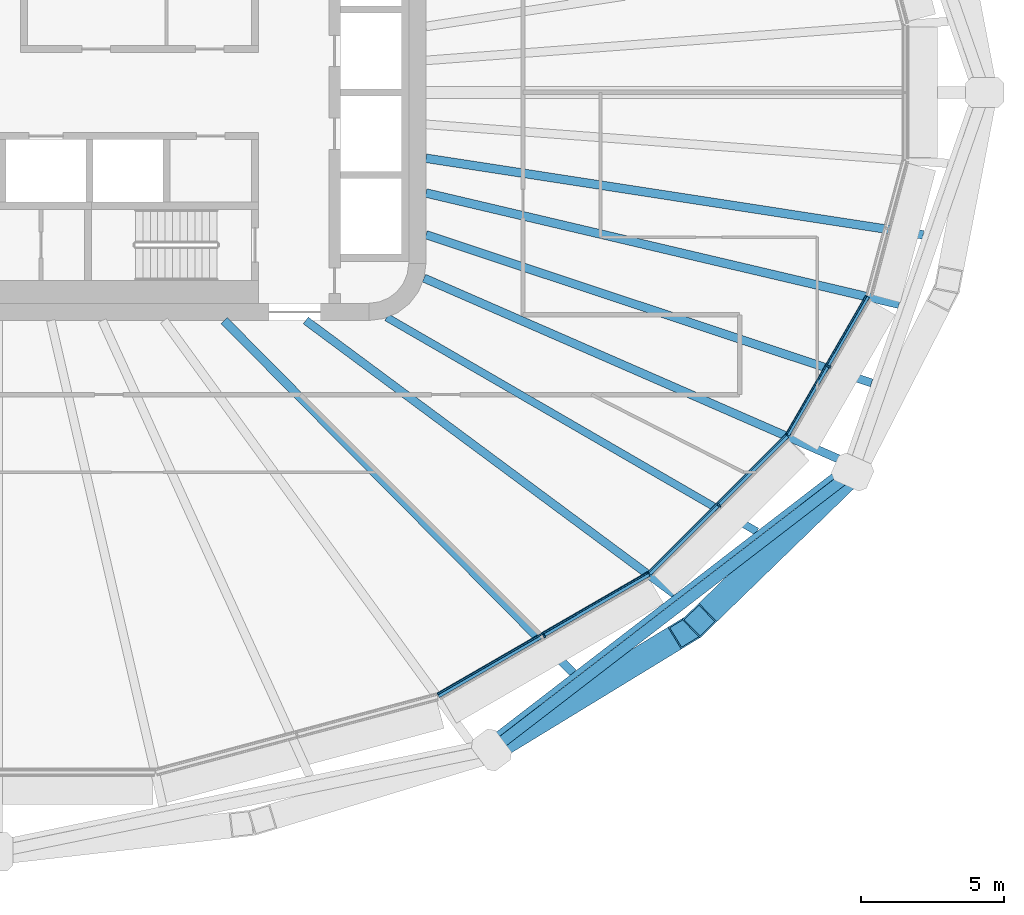
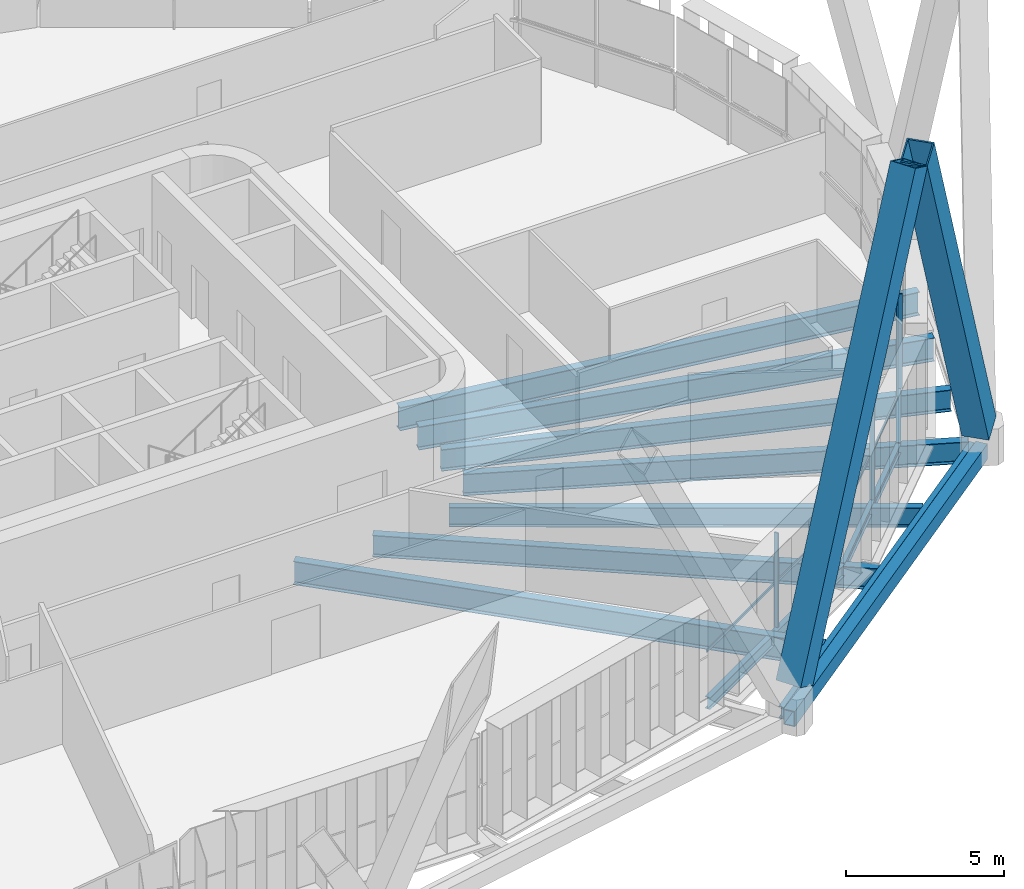
# One storey, part 5 of 25: 12 beams, 8 members, 3 elements without a shape of their own.
"""IFC4 building model written with IfcOpenShell, lengths in metres."""

from ifc_helpers import new_model, si_unit, direction, frame, origin, origin_2d, place, context, subcontext, project, spatial, rectangle, hollow_rectangle, i_section, extrude, material, layer, layer_set, material_profile, profile_set, type_object, element, aggregate, save


model = new_model("IFC4")

# Units and contexts
model_context = context("Model", 3, precision=1e-05, world=origin(), true_north=direction((0.0, 1.0)))
body_context = subcontext(model_context, "Body", "Model", "MODEL_VIEW")
ifc_project = project(units=[si_unit("LENGTHUNIT", "METRE"), si_unit("AREAUNIT", "SQUARE_METRE"), si_unit("VOLUMEUNIT", "CUBIC_METRE"), si_unit("PLANEANGLEUNIT", "RADIAN"), si_unit("MASSUNIT", "GRAM", prefix="KILO")], contexts=[model_context])

# Site, building, storey
site_placement = place(None, origin())
site = spatial("IfcSite", under=ifc_project, at=site_placement, CompositionType="ELEMENT")
building_placement = place(site_placement, origin())
building = spatial("IfcBuilding", under=site, at=building_placement, Name="Sahrelin Media Tower", CompositionType="ELEMENT")
storey_placement = place(building_placement, frame((0.0, 0.0, 114.60009765625)))
storey = spatial("IfcBuildingStorey", under=building, at=storey_placement, Name="L22", CompositionType="ELEMENT", Elevation=114.60009765625)

# Members
ifc_material_1 = material(Name="Steel S460", Category="steel")
ifc_material_profile_1 = material_profile(ifc_material_1, hollow_rectangle(XDim=0.89990234375, YDim=0.89990234375, WallThickness=0.050048828125, at=origin_2d()), Name="Diagrid diagonal DG3")
ifc_profile_set_1 = profile_set([ifc_material_profile_1], Name="Steel S460")
member_type_1 = type_object("IfcMemberType", Name="Diagrid diagonal DG3", PredefinedType="BRACE", material=ifc_profile_set_1)
member_1_placement = place(storey_placement, frame((17.59130859375, -22.880126953125, 0.699951171875), z_axis=(0.377075891817, 0.230216401797, 0.897114362918), x_axis=(-0.521089269606, 0.853502181076, 0.0)))
element("IfcMember", 1, at=member_1_placement, inside=storey, type_object=member_type_1, Name="Diagrid diagonal D04-20", PredefinedType="BRACE", context=body_context, shape_type="SweptSolid", body=[
    extrude(hollow_rectangle(XDim=0.89990234375, YDim=0.89990234375, WallThickness=0.050048828125, at=origin_2d()), origin(), (0.0, 0.0, 1.0), 17.166015625),
])
member_2_placement = place(storey_placement, frame((29.72607421875, -13.5400390625, 0.699951171875), z_axis=(-0.302361826208, -0.293404554799, 0.906912946911), x_axis=(0.696396816197, -0.717656933632, 0.0)))
element("IfcMember", 2, at=member_2_placement, inside=storey, type_object=member_type_1, Name="Diagrid diagonal D04-21", PredefinedType="BRACE", context=body_context, shape_type="SweptSolid", body=[
    extrude(hollow_rectangle(XDim=0.89990234375, YDim=0.89990234375, WallThickness=0.050048828125, at=origin_2d()), origin(), (0.0, 0.0, 1.0), 16.98046875),
])

# Beams
ifc_material_profile_2 = material_profile(ifc_material_1, hollow_rectangle(XDim=0.39990234375, YDim=0.60009765625, WallThickness=0.030029296875, at=origin_2d()), Name="Diagrid ring beam RB1")
ifc_profile_set_2 = profile_set([ifc_material_profile_2], Name="Steel S460")
beam_type_1 = type_object("IfcBeamType", Name="Diagrid ring beam RB1", PredefinedType="BEAM", material=ifc_profile_set_2)
beam_1_placement = place(storey_placement, frame((17.297119140625, -23.059814453125, -0.4501953125), z_axis=(0.792447877792, 0.609939637163, 0.0), x_axis=(-0.609939637163, 0.792447877792, 0.0)))
element("IfcBeam", 3, at=beam_1_placement, inside=storey, type_object=beam_type_1, Name="Diagrid ring beam RB04-10", PredefinedType="BEAM", context=body_context, shape_type="SweptSolid", body=[
    extrude(hollow_rectangle(XDim=0.39990234375, YDim=0.60009765625, WallThickness=0.030029296875, at=origin_2d()), origin(), (0.0, 0.0, 1.0), 15.978759765625),
])
ifc_material_2 = material(Name="Steel S355", Category="steel")
ifc_material_profile_3 = material_profile(ifc_material_2, i_section(OverallWidth=0.1650390625, OverallDepth=0.303466796875, WebThickness=0.006103515625, FlangeThickness=0.01025390625, FilletRadius=0.0087890625, at=origin_2d()), Name="UB 305x165x40")
ifc_profile_set_3 = profile_set([ifc_material_profile_3], Name="Steel S355")
beam_type_2 = type_object("IfcBeamType", Name="Edge beam EB2", PredefinedType="BEAM", material=ifc_profile_set_3)
beam_2_placement = place(storey_placement, frame((30.4775390625, -7.158203125, -0.3017578125), z_axis=(-0.499997576928, -0.866026802741, 0.0), x_axis=(0.866026802741, -0.499997576928, 0.0)))
element("IfcBeam", 4, at=beam_2_placement, inside=storey, type_object=beam_type_2, Name="Edge beam L22-03", PredefinedType="BEAM", context=body_context, shape_type="SweptSolid", body=[
    extrude(i_section(OverallWidth=0.1650390625, OverallDepth=0.303466796875, WebThickness=0.006103515625, FlangeThickness=0.01025390625, FilletRadius=0.0087890625, at=origin_2d()), origin(), (0.0, 0.0, 1.0), 5.607421875),
])
ifc_material_profile_4 = material_profile(ifc_material_2, i_section(OverallWidth=0.17138671875, OverallDepth=0.35498046875, WebThickness=0.00732421875, FlangeThickness=0.011474609375, FilletRadius=0.01025390625, at=origin_2d()), Name="UB 356x171x51")
ifc_profile_set_4 = profile_set([ifc_material_profile_4], Name="Steel S355")
beam_type_3 = type_object("IfcBeamType", Name="Edge beam EB3", PredefinedType="BEAM", material=ifc_profile_set_4)
beam_3_placement = place(storey_placement, frame((27.656494140625, -12.037109375, -0.32763671875), z_axis=(-0.707106781187, -0.707106781187, 0.0), x_axis=(0.707106781187, -0.707106781187, 0.0)))
element("IfcBeam", 5, at=beam_3_placement, inside=storey, type_object=beam_type_3, Name="Edge beam L22-04", PredefinedType="BEAM", context=body_context, shape_type="SweptSolid", body=[
    extrude(i_section(OverallWidth=0.17138671875, OverallDepth=0.35498046875, WebThickness=0.00732421875, FlangeThickness=0.011474609375, FilletRadius=0.01025390625, at=origin_2d()), origin(), (0.0, 0.0, 1.0), 6.82666015625),
])
ifc_material_profile_5 = material_profile(ifc_material_2, i_section(OverallWidth=0.1904296875, OverallDepth=0.45703125, WebThickness=0.009033203125, FlangeThickness=0.014404296875, FilletRadius=0.01025390625, at=origin_2d()), Name="UB 457x191x74")
ifc_profile_set_5 = profile_set([ifc_material_profile_5], Name="Steel S355")
beam_type_4 = type_object("IfcBeamType", Name="Edge beam EB5", PredefinedType="BEAM", material=ifc_profile_set_5)
beam_4_placement = place(storey_placement, frame((22.806396484375, -16.8818359375, -0.378662109375), z_axis=(-0.866015300231, -0.500017499459, 0.0), x_axis=(0.500017499459, -0.866015300231, 0.0)))
element("IfcBeam", 6, at=beam_4_placement, inside=storey, type_object=beam_type_4, Name="Edge beam L22-05", PredefinedType="BEAM", context=body_context, shape_type="SweptSolid", body=[
    extrude(i_section(OverallWidth=0.1904296875, OverallDepth=0.45703125, WebThickness=0.009033203125, FlangeThickness=0.014404296875, FilletRadius=0.01025390625, at=origin_2d()), origin(), (0.0, 0.0, 1.0), 8.523681640625),
])

# Curtain wall, member
ifc_material_3 = material(Name="Champagne anodised aluminium 6063-T6", Category="aluminium")
ifc_layer = layer(ifc_material_3, 0.14990234375)
ifc_layer_set = layer_set([ifc_layer], Name="Tower ribbon curtain wall")
curtain_wall_type = type_object("IfcCurtainWallType", Name="Tower ribbon curtain wall", PredefinedType="NOTDEFINED", material=ifc_layer_set)
curtain_wall_1_placement = place(storey_placement, frame((19.190673828125, -19.142578125, 0.0), z_axis=(0.0, 0.0, 1.0), x_axis=(1.0, 0.0, 0.0)))
curtain_wall_1 = element("IfcCurtainWall", 7, at=curtain_wall_1_placement, inside=storey, type_object=curtain_wall_type, Name="L22:CW:L22-20", PredefinedType="NOTDEFINED")
ifc_material_profile_6 = material_profile(ifc_material_3, rectangle(XDim=0.06005859375, YDim=0.14990234375, at=origin_2d()), Name="Mullion 60x150")
ifc_profile_set_6 = profile_set([ifc_material_profile_6], Name="Champagne anodised aluminium 6063-T6")
member_type_2 = type_object("IfcMemberType", Name="Mullion 60x150 CW1", PredefinedType="MULLION", material=ifc_profile_set_6)
member_3_placement = place(storey_placement, frame((19.143310546875, -19.060302734375, 0.0), z_axis=(0.0, 0.0, 1.0), x_axis=(0.866026276448, 0.4999984885, 0.0)))
member_3 = element("IfcMember", 8, at=member_3_placement, type_object=member_type_2, Name="L22:CWM:L22-20", PredefinedType="MULLION", context=body_context, shape_type="SweptSolid", body=[
    extrude(rectangle(XDim=0.06005859375, YDim=0.14990234375, at=origin_2d()), origin(), (0.0, 0.0, 1.0), 3.6484375),
])

curtain_wall_2_placement = place(storey_placement, frame((25.348876953125, -14.556884765625, 0.0), z_axis=(0.0, 0.0, 1.0), x_axis=(1.0, 0.0, 0.0)))
curtain_wall_2 = element("IfcCurtainWall", 9, at=curtain_wall_2_placement, inside=storey, type_object=curtain_wall_type, Name="L22:CW:L22-21", PredefinedType="NOTDEFINED")
member_4_placement = place(storey_placement, frame((25.28173828125, -14.489501953125, 0.0), z_axis=(0.0, 0.0, 1.0), x_axis=(0.707099376343, 0.707114185953, 0.0)))
member_4 = element("IfcMember", 10, at=member_4_placement, type_object=member_type_2, Name="L22:CWM:L22-21", PredefinedType="MULLION", context=body_context, shape_type="SweptSolid", body=[
    extrude(rectangle(XDim=0.06005859375, YDim=0.14990234375, at=origin_2d()), origin(), (0.0, 0.0, 1.0), 3.6484375),
])

curtain_wall_3_placement = place(storey_placement, frame((29.205810546875, -9.661376953125, 0.0), z_axis=(0.0, 0.0, 1.0), x_axis=(1.0, 0.0, 0.0)))
curtain_wall_3 = element("IfcCurtainWall", 11, at=curtain_wall_3_placement, inside=storey, type_object=curtain_wall_type, Name="L22:CW:L22-22", PredefinedType="NOTDEFINED")
member_5_placement = place(storey_placement, frame((29.123291015625, -9.61376953125, 0.0), z_axis=(0.0, 0.0, 1.0), x_axis=(0.499990930976, 0.866030639725, 0.0)))
member_5 = element("IfcMember", 12, at=member_5_placement, type_object=member_type_2, Name="L22:CWM:L22-22", PredefinedType="MULLION", context=body_context, shape_type="SweptSolid", body=[
    extrude(rectangle(XDim=0.06005859375, YDim=0.14990234375, at=origin_2d()), origin(), (0.0, 0.0, 1.0), 3.6484375),
])

# Beams
ifc_material_profile_7 = material_profile(ifc_material_2, i_section(OverallWidth=0.291748046875, OverallDepth=0.8349609375, WebThickness=0.013916015625, FlangeThickness=0.018798828125, FilletRadius=0.017822265625, at=origin_2d()), Name="UB 838x292x176")
ifc_profile_set_7 = profile_set([ifc_material_profile_7], Name="Steel S355")
beam_type_5 = type_object("IfcBeamType", Name="Radial primary beam PB10", PredefinedType="BEAM", material=ifc_profile_set_7)
beam_5_placement = place(storey_placement, frame((10.78515625, -8.0, -0.567626953125), z_axis=(0.803166740264, -0.595754301146, 0.0), x_axis=(0.595754301146, 0.803166740264, 0.0)))
element("IfcBeam", 13, at=beam_5_placement, inside=storey, type_object=beam_type_5, Name="Radial beam L22-21", PredefinedType="BEAM", context=body_context, shape_type="SweptSolid", body=[
    extrude(i_section(OverallWidth=0.291748046875, OverallDepth=0.8349609375, WebThickness=0.013916015625, FlangeThickness=0.018798828125, FilletRadius=0.017822265625, at=origin_2d()), origin(), (0.0, 0.0, 1.0), 16.12353515625),
])
beam_6_placement = place(storey_placement, frame((14.9326171875, -6.5126953125, -0.567626953125), z_axis=(0.916611517945, -0.399779095465, 0.0), x_axis=(0.399779095465, 0.916611517945, 0.0)))
element("IfcBeam", 14, at=beam_6_placement, inside=storey, type_object=beam_type_5, Name="Radial beam L22-22", PredefinedType="BEAM", context=body_context, shape_type="SweptSolid", body=[
    extrude(i_section(OverallWidth=0.291748046875, OverallDepth=0.8349609375, WebThickness=0.013916015625, FlangeThickness=0.018798828125, FilletRadius=0.017822265625, at=origin_2d()), origin(), (0.0, 0.0, 1.0), 16.078857421875),
])
ifc_material_profile_8 = material_profile(ifc_material_2, i_section(OverallWidth=0.30322265625, OverallDepth=0.903076171875, WebThickness=0.01513671875, FlangeThickness=0.020263671875, FilletRadius=0.01904296875, at=origin_2d()), Name="UB 914x305x201")
ifc_profile_set_8 = profile_set([ifc_material_profile_8], Name="Steel S355")
beam_type_6 = type_object("IfcBeamType", Name="Radial primary beam PB11", PredefinedType="BEAM", material=ifc_profile_set_8)
beam_7_placement = place(storey_placement, frame((15.0, -3.5283203125, -0.6015625), z_axis=(0.97343238477, -0.228974654232, 0.0), x_axis=(0.228974654232, 0.97343238477, 0.0)))
element("IfcBeam", 15, at=beam_7_placement, inside=storey, type_object=beam_type_6, Name="Radial beam L22-23", PredefinedType="BEAM", context=body_context, shape_type="SweptSolid", body=[
    extrude(i_section(OverallWidth=0.30322265625, OverallDepth=0.903076171875, WebThickness=0.01513671875, FlangeThickness=0.020263671875, FilletRadius=0.01904296875, at=origin_2d()), origin(), (0.0, 0.0, 1.0), 17.04150390625),
])
ifc_material_profile_9 = material_profile(ifc_material_2, i_section(OverallWidth=0.291748046875, OverallDepth=0.8349609375, WebThickness=0.013916015625, FlangeThickness=0.018798828125, FilletRadius=0.017822265625, at=origin_2d()), Name="UB 838x292x176")
ifc_profile_set_9 = profile_set([ifc_material_profile_9], Name="Steel S355")
beam_type_7 = type_object("IfcBeamType", Name="Radial secondary beam SB10", PredefinedType="BEAM", material=ifc_profile_set_9)
beam_8_placement = place(storey_placement, frame((15.0, -4.989990234375, -0.567626953125), z_axis=(0.948875817158, -0.315649621595, 0.0), x_axis=(0.315649621595, 0.948875817158, 0.0)))
element("IfcBeam", 16, at=beam_8_placement, inside=storey, type_object=beam_type_7, Name="Secondary beam L22-22", PredefinedType="BEAM", context=body_context, shape_type="SweptSolid", body=[
    extrude(i_section(OverallWidth=0.291748046875, OverallDepth=0.8349609375, WebThickness=0.013916015625, FlangeThickness=0.018798828125, FilletRadius=0.017822265625, at=origin_2d()), origin(), (0.0, 0.0, 1.0), 16.470703125),
])
ifc_material_profile_10 = material_profile(ifc_material_2, i_section(OverallWidth=0.30322265625, OverallDepth=0.903076171875, WebThickness=0.01513671875, FlangeThickness=0.020263671875, FilletRadius=0.01904296875, at=origin_2d()), Name="UB 914x305x201")
ifc_profile_set_10 = profile_set([ifc_material_profile_10], Name="Steel S355")
beam_type_8 = type_object("IfcBeamType", Name="Radial secondary beam SB11", PredefinedType="BEAM", material=ifc_profile_set_10)
beam_9_placement = place(storey_placement, frame((7.921630859375, -8.0, -0.6015625), z_axis=(0.703616835697, -0.71057958634, 0.0), x_axis=(0.71057958634, 0.703616835697, 0.0)))
element("IfcBeam", 17, at=beam_9_placement, inside=storey, type_object=beam_type_8, Name="Secondary beam L22-20", PredefinedType="BEAM", context=body_context, shape_type="SweptSolid", body=[
    extrude(i_section(OverallWidth=0.30322265625, OverallDepth=0.903076171875, WebThickness=0.01513671875, FlangeThickness=0.020263671875, FilletRadius=0.01904296875, at=origin_2d()), origin(), (0.0, 0.0, 1.0), 17.3916015625),
])
beam_10_placement = place(storey_placement, frame((15.0, -2.31005859375, -0.6015625), z_axis=(0.988348168319, -0.152210046252, 0.0), x_axis=(0.152210046252, 0.988348168319, 0.0)))
element("IfcBeam", 18, at=beam_10_placement, inside=storey, type_object=beam_type_8, Name="Secondary beam L22-23", PredefinedType="BEAM", context=body_context, shape_type="SweptSolid", body=[
    extrude(i_section(OverallWidth=0.30322265625, OverallDepth=0.903076171875, WebThickness=0.01513671875, FlangeThickness=0.020263671875, FilletRadius=0.01904296875, at=origin_2d()), origin(), (0.0, 0.0, 1.0), 17.64208984375),
])
ifc_material_profile_11 = material_profile(ifc_material_2, i_section(OverallWidth=0.26513671875, OverallDepth=0.75390625, WebThickness=0.0126953125, FlangeThickness=0.017578125, FilletRadius=0.0166015625, at=origin_2d()), Name="UB 762x267x147")
ifc_profile_set_11 = profile_set([ifc_material_profile_11], Name="Steel S355")
beam_type_9 = type_object("IfcBeamType", Name="Radial secondary beam SB9", PredefinedType="BEAM", material=ifc_profile_set_11)
beam_11_placement = place(storey_placement, frame((13.625244140625, -7.88720703125, -0.527099609375), z_axis=(0.865456011638, -0.500984921848, 0.0), x_axis=(0.500984921848, 0.865456011638, 0.0)))
element("IfcBeam", 19, at=beam_11_placement, inside=storey, type_object=beam_type_9, Name="Secondary beam L22-21", PredefinedType="BEAM", context=body_context, shape_type="SweptSolid", body=[
    extrude(i_section(OverallWidth=0.26513671875, OverallDepth=0.75390625, WebThickness=0.0126953125, FlangeThickness=0.017578125, FilletRadius=0.0166015625, at=origin_2d()), origin(), (0.0, 0.0, 1.0), 14.993896484375),
])
ifc_material_profile_12 = material_profile(ifc_material_2, i_section(OverallWidth=0.1904296875, OverallDepth=0.45703125, WebThickness=0.009033203125, FlangeThickness=0.014404296875, FilletRadius=0.01025390625, at=origin_2d()), Name="UB 457x191x74")
ifc_profile_set_12 = profile_set([ifc_material_profile_12], Name="Steel S355")
beam_type_10 = type_object("IfcBeamType", Name="Tie chord TC5", PredefinedType="BEAM", material=ifc_profile_set_12)
beam_12_placement = place(storey_placement, frame((29.705322265625, -13.13037109375, -0.378662109375), z_axis=(-0.79244496404, -0.60994342276, 0.0), x_axis=(0.60994342276, -0.79244496404, 0.0)))
element("IfcBeam", 20, at=beam_12_placement, inside=storey, type_object=beam_type_10, Name="Tie chord L22-02", PredefinedType="BEAM", context=body_context, shape_type="SweptSolid", body=[
    extrude(i_section(OverallWidth=0.1904296875, OverallDepth=0.45703125, WebThickness=0.009033203125, FlangeThickness=0.014404296875, FilletRadius=0.01025390625, at=origin_2d()), origin(), (0.0, 0.0, 1.0), 15.820068359375),
])

# Member
ifc_material_profile_13 = material_profile(ifc_material_3, rectangle(XDim=0.050048828125, YDim=0.10009765625, at=origin_2d()), Name="Transom 50x100")
ifc_profile_set_13 = profile_set([ifc_material_profile_13], Name="Champagne anodised aluminium 6063-T6")
member_type_3 = type_object("IfcMemberType", Name="Transom 50x100 CW1", PredefinedType="USERDEFINED", material=ifc_profile_set_13)
member_6_placement = place(storey_placement, frame((15.416015625, -21.0966796875, 1.599853515625), z_axis=(0.866026642527, 0.499997854429, 0.0), x_axis=(-0.499997854429, 0.866026642527, 0.0)))
member_6 = element("IfcMember", 21, at=member_6_placement, type_object=member_type_3, Name="L22:CWT:L22-20", ObjectType="TRANSOM", PredefinedType="USERDEFINED", context=body_context, shape_type="SweptSolid", body=[
    extrude(rectangle(XDim=0.050048828125, YDim=0.10009765625, at=origin_2d()), origin(), (0.0, 0.0, 1.0), 8.4921875),
])

aggregate(curtain_wall_1, [member_3, member_6])

member_7_placement = place(storey_placement, frame((22.80859375, -16.8212890625, 1.599853515625), z_axis=(0.707124745613, 0.707088816303, 0.0), x_axis=(-0.707088816303, 0.707124745613, 0.0)))
member_7 = element("IfcMember", 22, at=member_7_placement, type_object=member_type_3, Name="L22:CWT:L22-21", ObjectType="TRANSOM", PredefinedType="USERDEFINED", context=body_context, shape_type="SweptSolid", body=[
    extrude(rectangle(XDim=0.050048828125, YDim=0.10009765625, at=origin_2d()), origin(), (0.0, 0.0, 1.0), 6.794921875),
])

aggregate(curtain_wall_2, [member_4, member_7])

member_8_placement = place(storey_placement, frame((27.642822265625, -11.978271484375, 1.599853515625), z_axis=(0.499986503906, 0.866033195618, 0.0), x_axis=(-0.866033195618, 0.499986503906, 0.0)))
member_8 = element("IfcMember", 23, at=member_8_placement, type_object=member_type_3, Name="L22:CWT:L22-22", ObjectType="TRANSOM", PredefinedType="USERDEFINED", context=body_context, shape_type="SweptSolid", body=[
    extrude(rectangle(XDim=0.050048828125, YDim=0.10009765625, at=origin_2d()), origin(), (0.0, 0.0, 1.0), 5.575927734375),
])

aggregate(curtain_wall_3, [member_5, member_8])

save(model, "model.ifc")
